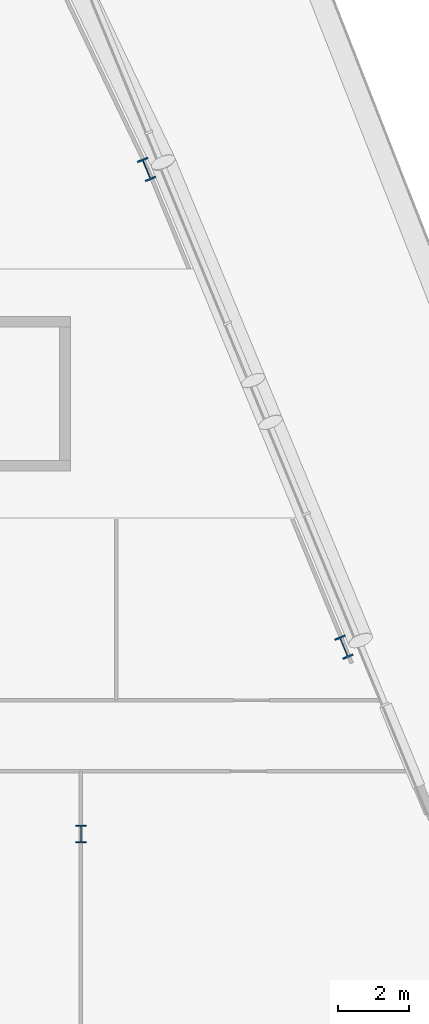
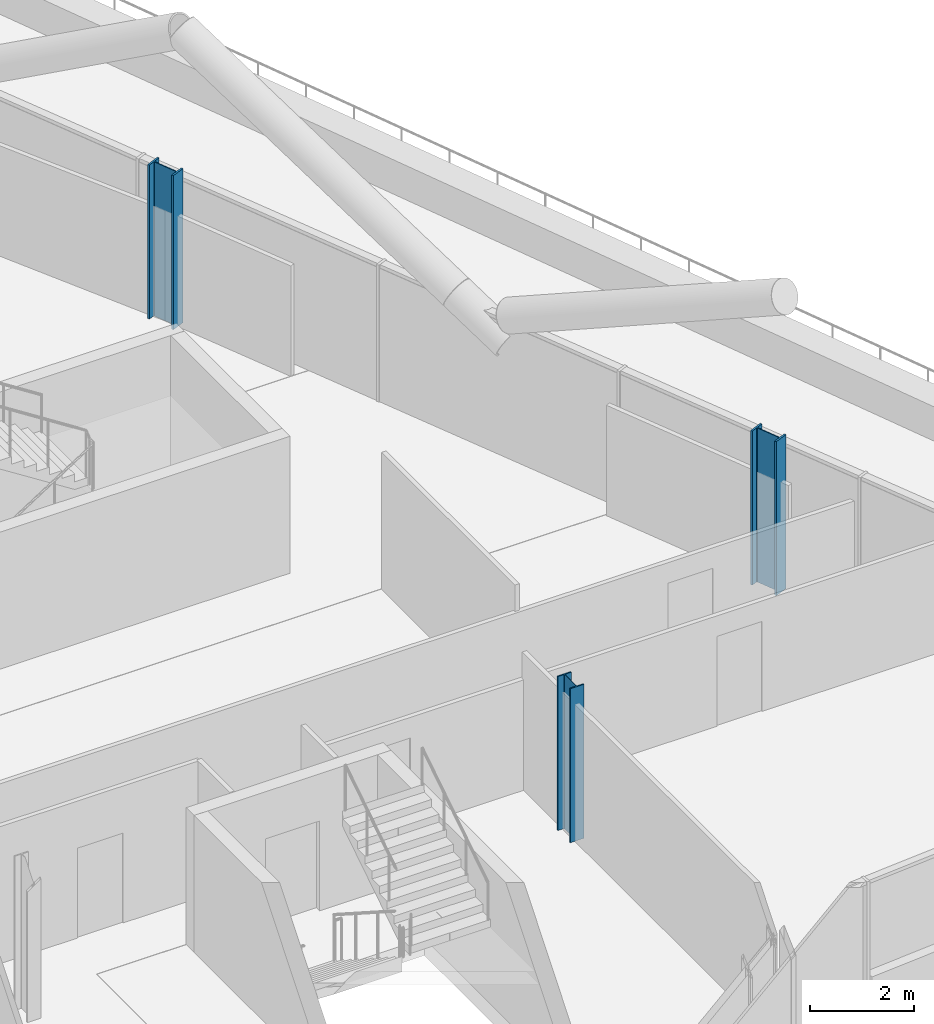
# One storey, part 5 of 30: 3 columns.
"""IFC4 building model written with IfcOpenShell, lengths in metres."""

from ifc_helpers import new_model, si_unit, direction, frame, origin, origin_2d, place, context, subcontext, project, spatial, i_section, extrude, material, material_profile, profile_set, type_object, element, save


model = new_model("IFC4")

# Units and contexts
model_context = context("Model", 3, precision=1e-05, world=origin(), true_north=direction((0.0, 1.0)))
body_context = subcontext(model_context, "Body", "Model", "MODEL_VIEW")
ifc_project = project(units=[si_unit("LENGTHUNIT", "METRE"), si_unit("AREAUNIT", "SQUARE_METRE"), si_unit("VOLUMEUNIT", "CUBIC_METRE"), si_unit("PLANEANGLEUNIT", "RADIAN"), si_unit("MASSUNIT", "GRAM", prefix="KILO")], contexts=[model_context])

# Site, building, storey
site_placement = place(None, origin())
site = spatial("IfcSite", under=ifc_project, at=site_placement, CompositionType="ELEMENT")
building_placement = place(site_placement, origin())
building = spatial("IfcBuilding", under=site, at=building_placement, Name="Wharfspan Tower", CompositionType="ELEMENT")
storey_placement = place(building_placement, frame((0.0, 0.0, 151.899902)))
storey = spatial("IfcBuildingStorey", under=building, at=storey_placement, Name="L36", CompositionType="ELEMENT", Elevation=151.899902)

# Columns
ifc_material = material(Name="Steel S355J2", Category="steel")
ifc_material_profile_1 = material_profile(ifc_material, i_section(OverallWidth=0.300049, OverallDepth=0.5, WebThickness=0.014404, FlangeThickness=0.028076, FilletRadius=0.0271, at=origin_2d()))
ifc_profile_set_1 = profile_set([ifc_material_profile_1], Name="Steel S355J2")
column_type_1 = type_object("IfcColumnType", Name="Column HEB 500", PredefinedType="COLUMN", material=ifc_profile_set_1)
column_placement = place(storey_placement, frame((72.0, 11.5, 0.0), z_axis=(0.0, 0.0, 1.0), x_axis=(1.0, 0.0, 0.0)))
element("IfcColumn", 1, at=column_placement, inside=storey, type_object=column_type_1, Name="Interior column I.1.5 L36", PredefinedType="COLUMN", context=body_context, shape_type="SweptSolid", body=[
    extrude(i_section(OverallWidth=0.300049, OverallDepth=0.5, WebThickness=0.014404, FlangeThickness=0.028076, FilletRadius=0.0271, at=origin_2d()), origin(), (0.0, 0.0, 1.0), 3.600098),
])
ifc_material_profile_2 = material_profile(ifc_material, i_section(OverallWidth=0.304932, OverallDepth=0.620117, WebThickness=0.020996, FlangeThickness=0.040039, FilletRadius=0.0271, at=origin_2d()))
ifc_profile_set_2 = profile_set([ifc_material_profile_2], Name="Steel S355J2")
column_type_2 = type_object("IfcColumnType", Name="Column HEM 600", PredefinedType="COLUMN", material=ifc_profile_set_2)
for number, where, z_axis, x_axis, name in (
    (2, (79.409668, 16.761719, 0.0), (0.0, 0.0, 1.0), (0.924325, 0.381602, 0.0), "Perimeter column PE.1 L36"),
    (3, (73.85376, 30.219238, 0.0), (0.0, 0.0, 1.0), (0.924325, 0.381602, 0.0), "Perimeter column PE.2 L36"),
):
    element("IfcColumn", number, at=place(storey_placement, frame(where, z_axis=z_axis, x_axis=x_axis)), inside=storey, type_object=column_type_2, Name=name, PredefinedType="COLUMN", context=body_context, shape_type="SweptSolid", body=[
        extrude(i_section(OverallWidth=0.304932, OverallDepth=0.620117, WebThickness=0.020996, FlangeThickness=0.040039, FilletRadius=0.0271, at=origin_2d()), origin(), (0.0, 0.0, 1.0), 3.600098),
    ])

save(model, "model.ifc")
